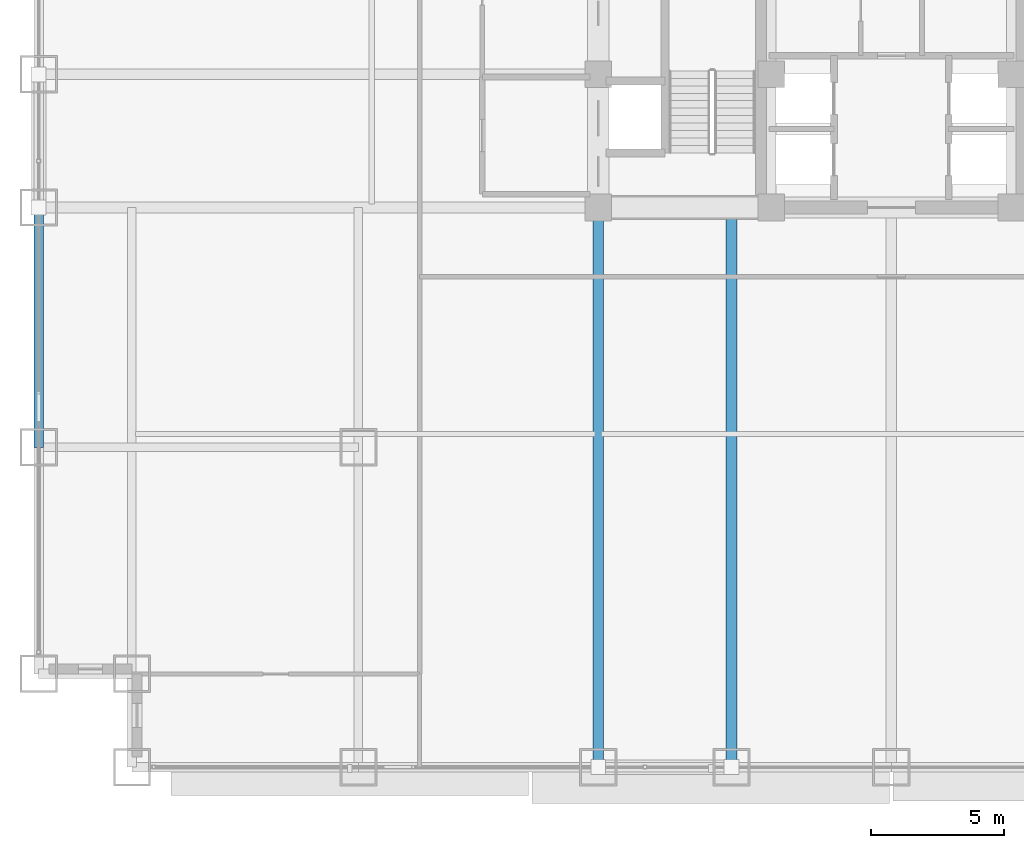
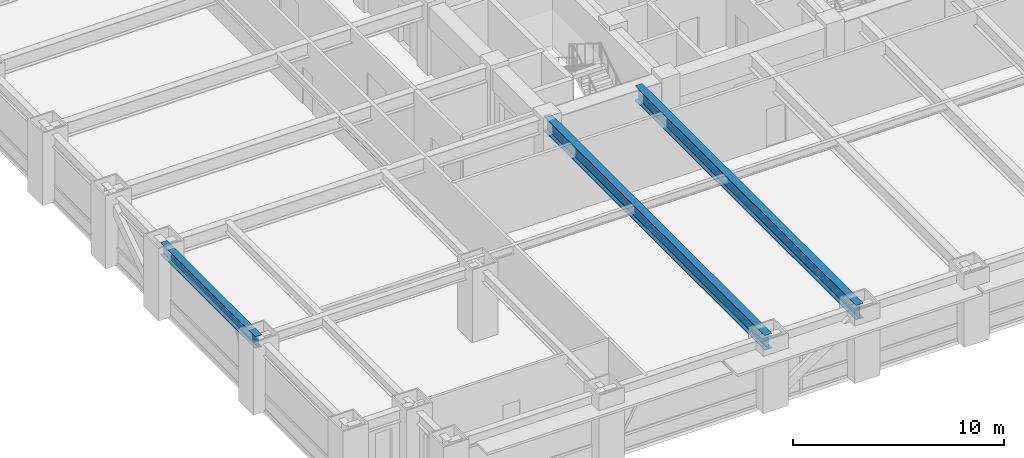
# One storey, part 5 of 31: 3 beams.
"""IFC4 building model written with IfcOpenShell, lengths in metres."""

from ifc_helpers import new_model, si_unit, direction, frame, origin, origin_2d, place, context, subcontext, project, spatial, i_section, extrude, source, transform, mapped, material, material_profile, profile_set, type_object, element, save


model = new_model("IFC4")

# Units and contexts
model_context = context("Model", 3, precision=1e-05, world=origin(), true_north=direction((0.0, 1.0)))
body_context = subcontext(model_context, "Body", "Model", "MODEL_VIEW")
ifc_project = project(units=[si_unit("LENGTHUNIT", "METRE"), si_unit("AREAUNIT", "SQUARE_METRE"), si_unit("VOLUMEUNIT", "CUBIC_METRE"), si_unit("PLANEANGLEUNIT", "RADIAN"), si_unit("MASSUNIT", "GRAM", prefix="KILO")], contexts=[model_context])

# Site, building, storey
site_placement = place(None, origin())
site = spatial("IfcSite", under=ifc_project, at=site_placement, CompositionType="ELEMENT")
building_placement = place(site_placement, origin())
building = spatial("IfcBuilding", under=site, at=building_placement, Name="Khorayat Bourse Tower", CompositionType="ELEMENT")
storey_placement = place(building_placement, frame((0.0, 0.0, 41.0)))
storey = spatial("IfcBuildingStorey", under=building, at=storey_placement, Name="L08", CompositionType="ELEMENT", Elevation=41.0)

# Beams
ifc_material = material(Name="Steel ASTM A992 Grade 50", Category="steel")
ifc_material_profile_1 = material_profile(ifc_material, i_section(OverallWidth=0.35498046875, OverallDepth=0.695068359375, WebThickness=0.015380859375, FlangeThickness=0.02490234375, FilletRadius=0.01806640625, at=origin_2d()), Name="W690X217")
ifc_profile_set_1 = profile_set([ifc_material_profile_1], Name="Steel ASTM A992 Grade 50")
beam_type_1 = type_object("IfcBeamType", Name="BM-SPAN-690", PredefinedType="SPANDREL", material=ifc_profile_set_1)
shared_shape_1 = source(origin(), body_context, "Body", "SweptSolid", [
    extrude(i_section(OverallWidth=0.35498046875, OverallDepth=0.695068359375, WebThickness=0.015380859375, FlangeThickness=0.02490234375, FilletRadius=0.01806640625, at=origin_2d()), origin(), (0.0, 0.0, 1.0), 9.0),
])
beam_placement = place(storey_placement, frame((-32.0, -20.0, 3.592529296875), z_axis=(0.0, 1.0, 0.0), x_axis=(-1.0, 0.0, 0.0)))
element("IfcBeam", 1, at=beam_placement, inside=storey, type_object=beam_type_1, Name="L08 BM-SPAN-690 BM-L08-SPN-060", PredefinedType="SPANDREL", context=body_context, shape_type="MappedRepresentation", body=[
    mapped(shared_shape_1, transform((0.0, 0.0, 0.0), scale=1.0)),
])
ifc_material_profile_2 = material_profile(ifc_material, i_section(OverallWidth=0.39990234375, OverallDepth=0.85498046875, WebThickness=0.018310546875, FlangeThickness=0.029296875, FilletRadius=0.02001953125, at=origin_2d()), Name="W840X299")
ifc_profile_set_2 = profile_set([ifc_material_profile_2], Name="Steel ASTM A992 Grade 50")
beam_type_2 = type_object("IfcBeamType", Name="BM-GIRD-840", PredefinedType="BEAM", material=ifc_profile_set_2)
shared_shape_2 = source(origin(), body_context, "Body", "SweptSolid", [
    extrude(i_section(OverallWidth=0.39990234375, OverallDepth=0.85498046875, WebThickness=0.018310546875, FlangeThickness=0.029296875, FilletRadius=0.02001953125, at=origin_2d()), origin(), (0.0, 0.0, 1.0), 21.0),
])
for number, where, z_axis, x_axis, name in (
    (2, (-11.0, -32.0, 3.512451171875), (0.0, 1.0, 0.0), (-1.0, 0.0, 0.0), "L08 BM-GIRD-840 BM-L08-RADY-065"),
    (3, (-6.0, -32.0, 3.512451171875), (0.0, 1.0, 0.0), (-1.0, 0.0, 0.0), "L08 BM-GIRD-840 BM-L08-RADY-067"),
):
    element("IfcBeam", number, at=place(storey_placement, frame(where, z_axis=z_axis, x_axis=x_axis)), inside=storey, type_object=beam_type_2, Name=name, PredefinedType="BEAM", context=body_context, shape_type="MappedRepresentation", body=[
        mapped(shared_shape_2, transform((0.0, 0.0, 0.0), scale=1.0)),
    ])

save(model, "model.ifc")
